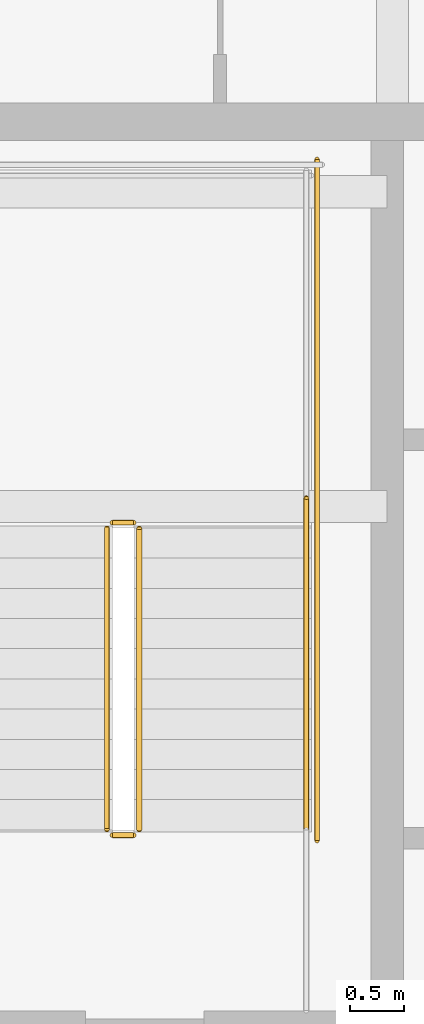
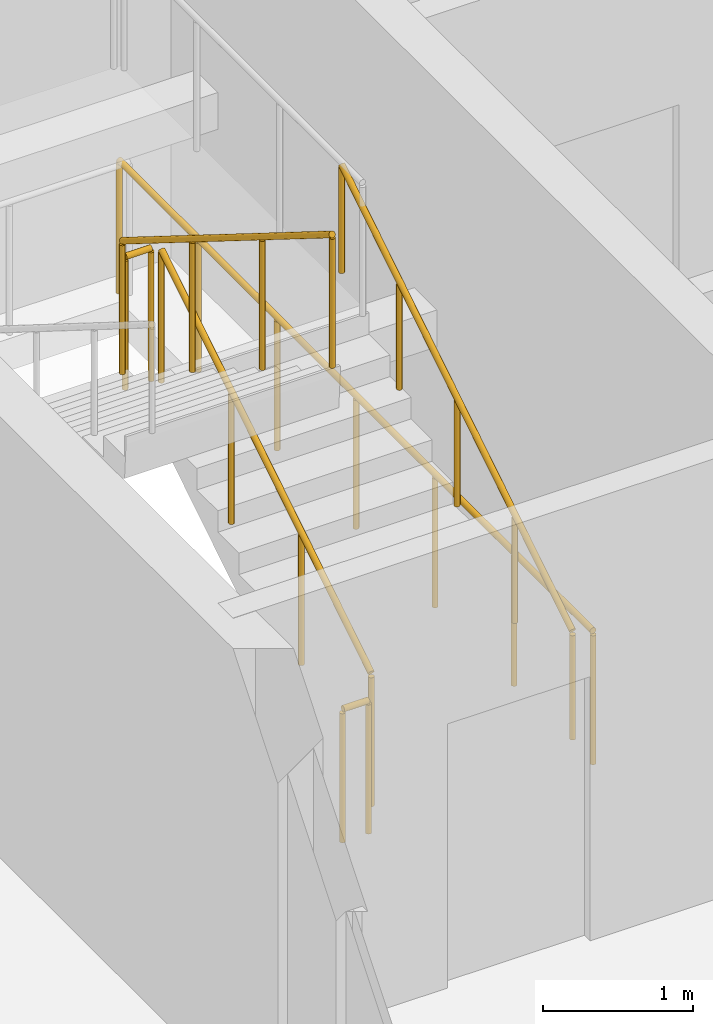
# One storey, part 32 of 35: 6 railings.
"""IFC4 building model written with IfcOpenShell, lengths in metres."""

from ifc_helpers import new_model, si_unit, direction, frame, origin, origin_2d, place, context, subcontext, project, spatial, circle, extrude, material, type_object, element, save


model = new_model("IFC4")

# Units and contexts
model_context = context("Model", 3, precision=1e-05, world=origin(), true_north=direction((0.0, 1.0)))
body_context = subcontext(model_context, "Body", "Model", "MODEL_VIEW")
ifc_project = project(units=[si_unit("LENGTHUNIT", "METRE"), si_unit("AREAUNIT", "SQUARE_METRE"), si_unit("VOLUMEUNIT", "CUBIC_METRE"), si_unit("PLANEANGLEUNIT", "RADIAN"), si_unit("MASSUNIT", "GRAM", prefix="KILO")], contexts=[model_context])

# Site, building, storey
site_placement = place(None, origin())
site = spatial("IfcSite", under=ifc_project, at=site_placement, CompositionType="ELEMENT")
building_placement = place(site_placement, origin())
building = spatial("IfcBuilding", under=site, at=building_placement, Name="Serunith Strait Residences", CompositionType="ELEMENT")
storey_placement = place(building_placement, frame((0.0, 0.0, 214.300048828125)))
storey = spatial("IfcBuildingStorey", under=building, at=storey_placement, Name="L53", CompositionType="ELEMENT", Elevation=214.300048828125)

# Railings
ifc_material = material(Name="Brushed stainless steel 316L", Category="steel")
railing_type_1 = type_object("IfcRailingType", Name="RLG-STAIR-GUARD", PredefinedType="BALUSTRADE", material=ifc_material)
railing_1_placement = place(storey_placement, frame((25.550048828125, 27.030029296875, 0.175048828125)))
element("IfcRailing", 1, at=railing_1_placement, inside=storey, type_object=railing_type_1, Name="L53 ST-1 stair guard 1", PredefinedType="BALUSTRADE", context=body_context, shape_type="SweptSolid", body=[
    extrude(circle(Radius=0.02392578125, at=origin_2d()), frame((0.0, 0.001708984375, 1.0771484375), z_axis=(0.0, 0.848002457836, 0.529992293815), x_axis=(-1.0, 0.0, 0.0)), (0.0, 0.0, 1.0), 3.2978515625),
    extrude(circle(Radius=0.02099609375, at=origin_2d()), origin(), (0.0, 0.0, 1.0), 1.050048828125),
    extrude(circle(Radius=0.02099609375, at=origin_2d()), frame((0.0, 0.933349609375, 0.583251953125)), (0.0, 0.0, 1.0), 1.050048828125),
    extrude(circle(Radius=0.02099609375, at=origin_2d()), frame((0.0, 1.86669921875, 1.166748046875)), (0.0, 0.0, 1.0), 1.050048828125),
    extrude(circle(Radius=0.02099609375, at=origin_2d()), frame((0.0, 2.800048828125, 1.75)), (0.0, 0.0, 1.0), 1.050048828125),
])
railing_2_placement = place(storey_placement, frame((25.5, 29.8798828125, 1.925048828125)))
element("IfcRailing", 2, at=railing_2_placement, inside=storey, type_object=railing_type_1, Name="L53 ST-1 stair guard 2", PredefinedType="BALUSTRADE", context=body_context, shape_type="SweptSolid", body=[
    extrude(circle(Radius=0.02392578125, at=origin_2d()), frame((-0.001953125, 0.0, 1.076171875), z_axis=(-1.0, 0.0, 0.0), x_axis=(0.0, -1.0, 0.0)), (0.0, 0.0, 1.0), 0.196044921875),
    extrude(circle(Radius=0.02099609375, at=origin_2d()), origin(), (0.0, 0.0, 1.0), 1.050048828125),
    extrude(circle(Radius=0.02099609375, at=origin_2d()), frame((-0.199951171875, 0.0, 0.0)), (0.0, 0.0, 1.0), 1.050048828125),
])
railing_3_placement = place(storey_placement, frame((25.25, 29.830078125, 2.099853515625)))
element("IfcRailing", 3, at=railing_3_placement, inside=storey, type_object=railing_type_1, Name="L53 ST-1 stair guard 6", PredefinedType="BALUSTRADE", context=body_context, shape_type="SweptSolid", body=[
    extrude(circle(Radius=0.02392578125, at=origin_2d()), frame((0.0, -0.001708984375, 1.0771484375), z_axis=(0.0, -0.848002457836, 0.529992293815), x_axis=(1.0, 0.0, 0.0)), (0.0, 0.0, 1.0), 3.2978515625),
    extrude(circle(Radius=0.02099609375, at=origin_2d()), origin(), (0.0, 0.0, 1.0), 1.050048828125),
    extrude(circle(Radius=0.02099609375, at=origin_2d()), frame((0.0, -0.933349609375, 0.583251953125)), (0.0, 0.0, 1.0), 1.050048828125),
    extrude(circle(Radius=0.02099609375, at=origin_2d()), frame((0.0, -1.86669921875, 1.166748046875)), (0.0, 0.0, 1.0), 1.050048828125),
    extrude(circle(Radius=0.02099609375, at=origin_2d()), frame((0.0, -2.800048828125, 1.75)), (0.0, 0.0, 1.0), 1.050048828125),
])
railing_4_placement = place(storey_placement, frame((25.5, 26.97998046875, 0.0)))
element("IfcRailing", 4, at=railing_4_placement, inside=storey, type_object=railing_type_1, Name="L53 ST-1 stair guard 7", PredefinedType="BALUSTRADE", context=body_context, shape_type="SweptSolid", body=[
    extrude(circle(Radius=0.02392578125, at=origin_2d()), frame((-0.001953125, 0.0, 1.076171875), z_axis=(-1.0, 0.0, 0.0), x_axis=(0.0, -1.0, 0.0)), (0.0, 0.0, 1.0), 0.196044921875),
    extrude(circle(Radius=0.02099609375, at=origin_2d()), origin(), (0.0, 0.0, 1.0), 1.050048828125),
    extrude(circle(Radius=0.02099609375, at=origin_2d()), frame((-0.199951171875, 0.0, 0.0)), (0.0, 0.0, 1.0), 1.050048828125),
])
railing_5_placement = place(storey_placement, frame((27.199951171875, 26.929931640625, 0.0)))
element("IfcRailing", 5, at=railing_5_placement, inside=storey, type_object=railing_type_1, Name="L53 ST-1 stair guard 10", PredefinedType="BALUSTRADE", context=body_context, shape_type="SweptSolid", body=[
    extrude(circle(Radius=0.02392578125, at=origin_2d()), frame((0.0, 0.001953125, 1.076171875), z_axis=(0.0, 1.0, 0.0), x_axis=(-1.0, 0.0, 0.0)), (0.0, 0.0, 1.0), 6.316162109375),
    extrude(circle(Radius=0.02099609375, at=origin_2d()), origin(), (0.0, 0.0, 1.0), 1.050048828125),
    extrude(circle(Radius=0.02099609375, at=origin_2d()), frame((0.0, 1.05322265625, 0.0)), (0.0, 0.0, 1.0), 1.050048828125),
    extrude(circle(Radius=0.02099609375, at=origin_2d()), frame((0.0, 2.106689453125, 0.0)), (0.0, 0.0, 1.0), 1.050048828125),
    extrude(circle(Radius=0.02099609375, at=origin_2d()), frame((0.0, 3.16015625, 0.0)), (0.0, 0.0, 1.0), 1.050048828125),
    extrude(circle(Radius=0.02099609375, at=origin_2d()), frame((0.0, 4.21337890625, 0.0)), (0.0, 0.0, 1.0), 1.050048828125),
    extrude(circle(Radius=0.02099609375, at=origin_2d()), frame((0.0, 5.2666015625, 0.0)), (0.0, 0.0, 1.0), 1.050048828125),
    extrude(circle(Radius=0.02099609375, at=origin_2d()), frame((0.0, 6.320068359375, 0.0)), (0.0, 0.0, 1.0), 1.050048828125),
])
railing_type_2 = type_object("IfcRailingType", Name="RLG-STAIR-HR", PredefinedType="HANDRAIL", material=ifc_material)
railing_6_placement = place(storey_placement, frame((27.10009765625, 27.030029296875, 0.175048828125)))
element("IfcRailing", 6, at=railing_6_placement, inside=storey, type_object=railing_type_2, Name="L53 ST-1 stair handrail 1", PredefinedType="HANDRAIL", context=body_context, shape_type="SweptSolid", body=[
    extrude(circle(Radius=0.02392578125, at=origin_2d()), frame((0.0, 0.001708984375, 0.876953125), z_axis=(0.0, 0.847393994688, 0.530964610654), x_axis=(-1.0, 0.0, 0.0)), (0.0, 0.0, 1.0), 3.630859375),
    extrude(circle(Radius=0.02099609375, at=origin_2d()), origin(), (0.0, 0.0, 1.0), 0.849853515625),
    extrude(circle(Radius=0.02099609375, at=origin_2d()), frame((0.0, 0.77001953125, 0.482421875)), (0.0, 0.0, 1.0), 0.849853515625),
    extrude(circle(Radius=0.02099609375, at=origin_2d()), frame((0.0, 1.5400390625, 0.96484375)), (0.0, 0.0, 1.0), 0.849853515625),
    extrude(circle(Radius=0.02099609375, at=origin_2d()), frame((0.0, 2.31005859375, 1.447509765625)), (0.0, 0.0, 1.0), 0.849853515625),
    extrude(circle(Radius=0.02099609375, at=origin_2d()), frame((0.0, 3.080078125, 1.929931640625)), (0.0, 0.0, 1.0), 0.849853515625),
])

save(model, "model.ifc")
